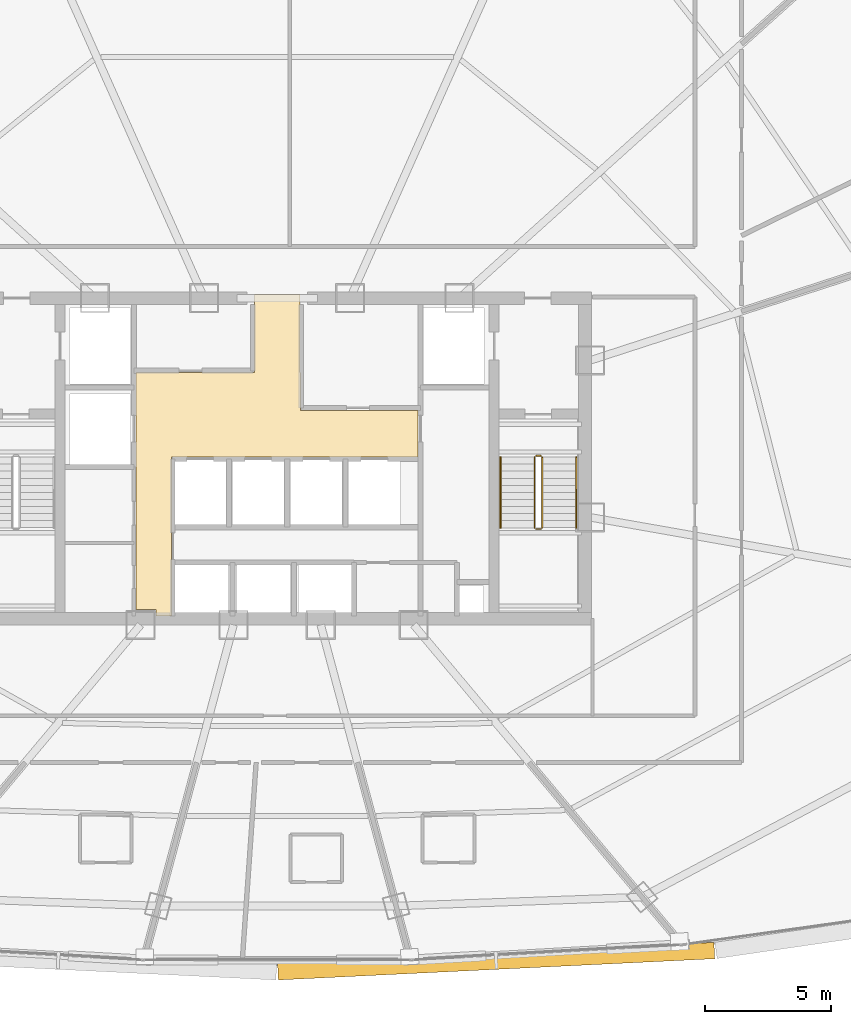
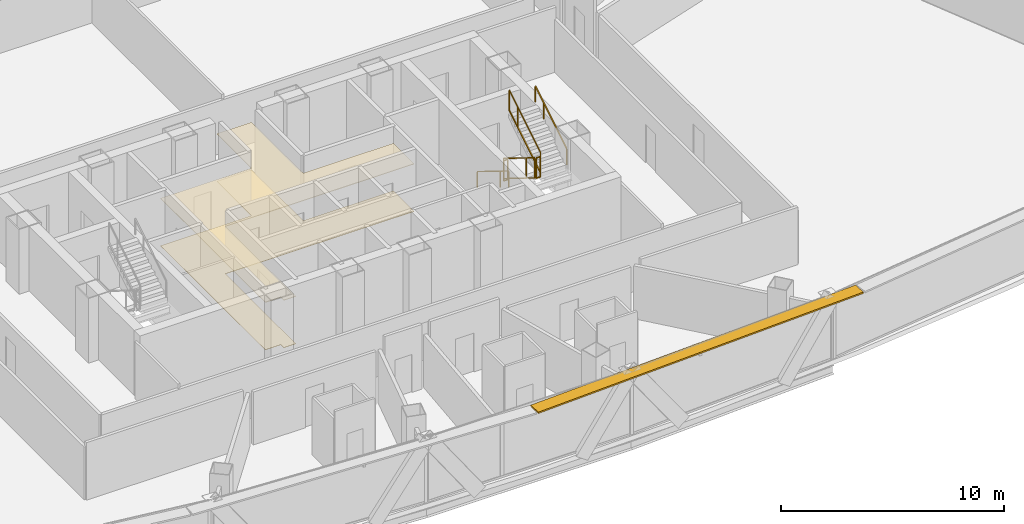
# One storey, part 38 of 40: 6 railings, 2 coverings, 1 shading device.
"""IFC4 building model written with IfcOpenShell, lengths in metres."""

from ifc_helpers import new_model, si_unit, direction, frame, origin, origin_2d, place, context, subcontext, project, spatial, polyline, rectangle, outline, extrude, source, transform, mapped, material, layer, layer_set, type_object, element, save


model = new_model("IFC4")

# Units and contexts
model_context = context("Model", 3, precision=1e-05, world=origin(), true_north=direction((0.0, 1.0)))
body_context = subcontext(model_context, "Body", "Model", "MODEL_VIEW")
ifc_project = project(units=[si_unit("LENGTHUNIT", "METRE"), si_unit("AREAUNIT", "SQUARE_METRE"), si_unit("VOLUMEUNIT", "CUBIC_METRE"), si_unit("PLANEANGLEUNIT", "RADIAN"), si_unit("MASSUNIT", "GRAM", prefix="KILO"), si_unit("THERMODYNAMICTEMPERATUREUNIT", "KELVIN"), si_unit("POWERUNIT", "WATT")], contexts=[model_context])

# Site, building, storey
site_placement = place(None, origin())
site = spatial("IfcSite", under=ifc_project, at=site_placement, CompositionType="ELEMENT")
building_placement = place(site_placement, origin())
building = spatial("IfcBuilding", under=site, at=building_placement, Name="Yunzhuo Pagoda Commons", CompositionType="ELEMENT")
storey_placement = place(building_placement, frame((0.0, 0.0, 188.56005859375)))
storey = spatial("IfcBuildingStorey", under=building, at=storey_placement, Name="L47", CompositionType="ELEMENT", Elevation=188.56005859375)

# Coverings
ifc_material_1 = material(Name="Perforated gypsum acoustic ceiling tile")
ifc_layer_1 = layer(ifc_material_1, 0.030029296875)
ifc_layer_set_1 = layer_set([ifc_layer_1], Name="Perforated gypsum acoustic ceiling tile")
covering_type_1 = type_object("IfcCoveringType", Name="COV-CL2 Ceiling 30", PredefinedType="CEILING", material=ifc_layer_set_1)
covering_1_placement = place(storey_placement, frame((0.0, 0.0, 2.58984375)))
element("IfcCovering", 1, at=covering_1_placement, inside=storey, type_object=covering_type_1, Name="L47 lift lobby acoustic ceiling", PredefinedType="CEILING", context=body_context, shape_type="SweptSolid", body=[
    extrude(outline(polyline([(42.39990234375, 37.25), (47.10009765625, 37.25), (47.10009765625, 40.35009765625), (48.89990234375, 40.35009765625), (48.89990234375, 37.25), (48.919921875, 37.25), (48.919921875, 35.75), (53.580078125, 35.75), (53.580078125, 33.89990234375), (43.820068359375, 33.89990234375), (43.820068359375, 27.60009765625), (43.207763671875, 27.60009765625), (43.207763671875, 27.85009765625), (43.201904296875, 27.864013671875), (43.187744140625, 27.8701171875), (42.39990234375, 27.8701171875), (42.39990234375, 33.89990234375), (42.39990234375, 37.25)])), origin(), (0.0, 0.0, 1.0), 0.030029296875),
])
ifc_material_2 = material(Name="Porcelain ceramic floor tile")
ifc_layer_2 = layer(ifc_material_2, 0.02001953125)
ifc_layer_set_2 = layer_set([ifc_layer_2], Name="Porcelain ceramic floor tile")
covering_type_2 = type_object("IfcCoveringType", Name="COV-FL1 Flooring 20", PredefinedType="FLOORING", material=ifc_layer_set_2)
covering_2_placement = place(storey_placement, origin())
element("IfcCovering", 2, at=covering_2_placement, inside=storey, type_object=covering_type_2, Name="L47 lift lobby flooring", PredefinedType="FLOORING", context=body_context, shape_type="SweptSolid", body=[
    extrude(outline(polyline([(42.39990234375, 37.25), (47.10009765625, 37.25), (47.10009765625, 40.35009765625), (48.89990234375, 40.35009765625), (48.89990234375, 37.25), (48.919921875, 37.25), (48.919921875, 35.75), (53.580078125, 35.75), (53.580078125, 33.89990234375), (43.820068359375, 33.89990234375), (43.820068359375, 27.60009765625), (43.207763671875, 27.60009765625), (43.207763671875, 27.85009765625), (43.201904296875, 27.864013671875), (43.187744140625, 27.8701171875), (42.39990234375, 27.8701171875), (42.39990234375, 33.89990234375), (42.39990234375, 37.25)])), origin(), (0.0, 0.0, 1.0), 0.02001953125),
])

# Railings
ifc_material_3 = material(Name="Anodized aluminium 6063-T6", Category="aluminium")
railing_type_1 = type_object("IfcRailingType", Name="GR-ST2 Stair Well Guardrail 1160", PredefinedType="GUARDRAIL", material=ifc_material_3)
railing_1_placement = place(storey_placement, frame((58.199951171875, 33.89990234375, 0.172607421875)))
element("IfcRailing", 3, at=railing_1_placement, inside=storey, type_object=railing_type_1, Name="L47 ST2 stair guard 1", PredefinedType="GUARDRAIL", context=body_context, shape_type="SweptSolid", body=[
    extrude(rectangle(XDim=0.048095703125, YDim=0.048095703125, at=origin_2d()), frame((0.0, 0.0, 1.1259765625), z_axis=(0.0, -0.851069175582, 0.525053576669), x_axis=(1.0, 0.0, 0.0)), (0.0, 0.0, 1.0), 3.289794921875),
    extrude(rectangle(XDim=0.048095703125, YDim=0.048095703125, at=origin_2d()), frame((0.0, 0.0, 0.02392578125), z_axis=(0.0, -0.851069175582, 0.525053576669), x_axis=(1.0, 0.0, 0.0)), (0.0, 0.0, 1.0), 3.289794921875),
    extrude(rectangle(XDim=0.0419921875, YDim=0.0419921875, at=origin_2d()), origin(), (0.0, 0.0, 1.0), 1.101806640625),
    extrude(rectangle(XDim=0.0419921875, YDim=0.0419921875, at=origin_2d()), frame((0.0, -2.04248046875, 1.260009765625)), (0.0, 0.0, 1.0), 1.101806640625),
    extrude(rectangle(XDim=0.0419921875, YDim=0.0419921875, at=origin_2d()), frame((0.0, -2.7998046875, 1.727294921875)), (0.0, 0.0, 1.0), 1.101806640625),
])
railing_2_placement = place(storey_placement, frame((58.25, 31.050048828125, 1.89990234375)))
element("IfcRailing", 4, at=railing_2_placement, inside=storey, type_object=railing_type_1, Name="L47 ST2 stair guard 2", PredefinedType="GUARDRAIL", context=body_context, shape_type="SweptSolid", body=[
    extrude(rectangle(XDim=0.048095703125, YDim=0.048095703125, at=origin_2d()), frame((0.0, 0.0, 1.1259765625), z_axis=(1.0, 0.0, 0.0), x_axis=(0.0, 1.0, 0.0)), (0.0, 0.0, 1.0), 0.199951171875),
    extrude(rectangle(XDim=0.048095703125, YDim=0.048095703125, at=origin_2d()), frame((0.0, 0.0, 0.02392578125), z_axis=(1.0, 0.0, 0.0), x_axis=(0.0, 1.0, 0.0)), (0.0, 0.0, 1.0), 0.199951171875),
    extrude(rectangle(XDim=0.0419921875, YDim=0.0419921875, at=origin_2d()), origin(), (0.0, 0.0, 1.0), 1.101806640625),
    extrude(rectangle(XDim=0.0419921875, YDim=0.0419921875, at=origin_2d()), frame((0.199951171875, 0.0, 0.0)), (0.0, 0.0, 1.0), 1.101806640625),
])
railing_3_placement = place(storey_placement, frame((58.5, 31.10009765625, 2.07275390625)))
element("IfcRailing", 5, at=railing_3_placement, inside=storey, type_object=railing_type_1, Name="L47 ST2 stair guard 3", PredefinedType="GUARDRAIL", context=body_context, shape_type="SweptSolid", body=[
    extrude(rectangle(XDim=0.048095703125, YDim=0.048095703125, at=origin_2d()), frame((0.0, 0.0, 1.1259765625), z_axis=(0.0, 0.851069175582, 0.525053576669), x_axis=(-1.0, 0.0, 0.0)), (0.0, 0.0, 1.0), 3.289794921875),
    extrude(rectangle(XDim=0.048095703125, YDim=0.048095703125, at=origin_2d()), frame((0.0, 0.0, 0.02392578125), z_axis=(0.0, 0.851069175582, 0.525053576669), x_axis=(-1.0, 0.0, 0.0)), (0.0, 0.0, 1.0), 3.289794921875),
    extrude(rectangle(XDim=0.0419921875, YDim=0.0419921875, at=origin_2d()), origin(), (0.0, 0.0, 1.0), 1.101806640625),
    extrude(rectangle(XDim=0.0419921875, YDim=0.0419921875, at=origin_2d()), frame((0.0, 2.04248046875, 1.260009765625)), (0.0, 0.0, 1.0), 1.101806640625),
    extrude(rectangle(XDim=0.0419921875, YDim=0.0419921875, at=origin_2d()), frame((0.0, 2.7998046875, 1.727294921875)), (0.0, 0.0, 1.0), 1.101806640625),
])
railing_4_placement = place(storey_placement, frame((58.25, 33.949951171875, 0.0)))
element("IfcRailing", 6, at=railing_4_placement, inside=storey, type_object=railing_type_1, Name="L47 ST2 stair guard 4", PredefinedType="GUARDRAIL", context=body_context, shape_type="SweptSolid", body=[
    extrude(rectangle(XDim=0.048095703125, YDim=0.048095703125, at=origin_2d()), frame((0.0, 0.0, 1.1259765625), z_axis=(1.0, 0.0, 0.0), x_axis=(0.0, 1.0, 0.0)), (0.0, 0.0, 1.0), 0.199951171875),
    extrude(rectangle(XDim=0.048095703125, YDim=0.048095703125, at=origin_2d()), frame((0.0, 0.0, 0.02392578125), z_axis=(1.0, 0.0, 0.0), x_axis=(0.0, 1.0, 0.0)), (0.0, 0.0, 1.0), 0.199951171875),
    extrude(rectangle(XDim=0.0419921875, YDim=0.0419921875, at=origin_2d()), origin(), (0.0, 0.0, 1.0), 1.101806640625),
    extrude(rectangle(XDim=0.0419921875, YDim=0.0419921875, at=origin_2d()), frame((0.199951171875, 0.0, 0.0)), (0.0, 0.0, 1.0), 1.101806640625),
])
railing_type_2 = type_object("IfcRailingType", Name="HR-ST2 Stair Handrail 900", PredefinedType="HANDRAIL", material=ifc_material_3)
railing_5_placement = place(storey_placement, frame((56.85009765625, 33.89990234375, 0.172607421875)))
element("IfcRailing", 7, at=railing_5_placement, inside=storey, type_object=railing_type_2, Name="L47 ST2 stair handrail 1", PredefinedType="HANDRAIL", context=body_context, shape_type="SweptSolid", body=[
    extrude(rectangle(XDim=0.048095703125, YDim=0.048095703125, at=origin_2d()), frame((0.0, 0.0, 0.8759765625), z_axis=(0.0, -0.851069175582, 0.525053576669), x_axis=(1.0, 0.0, 0.0)), (0.0, 0.0, 1.0), 3.289794921875),
    extrude(rectangle(XDim=0.0419921875, YDim=0.0419921875, at=origin_2d()), origin(), (0.0, 0.0, 1.0), 0.851806640625),
    extrude(rectangle(XDim=0.0419921875, YDim=0.0419921875, at=origin_2d()), frame((0.0, -2.04248046875, 1.260009765625)), (0.0, 0.0, 1.0), 0.851806640625),
    extrude(rectangle(XDim=0.0419921875, YDim=0.0419921875, at=origin_2d()), frame((0.0, -2.7998046875, 1.727294921875)), (0.0, 0.0, 1.0), 0.851806640625),
])
railing_6_placement = place(storey_placement, frame((59.85009765625, 31.10009765625, 2.07275390625)))
element("IfcRailing", 8, at=railing_6_placement, inside=storey, type_object=railing_type_2, Name="L47 ST2 stair handrail 2", PredefinedType="HANDRAIL", context=body_context, shape_type="SweptSolid", body=[
    extrude(rectangle(XDim=0.048095703125, YDim=0.048095703125, at=origin_2d()), frame((0.0, 0.0, 0.8759765625), z_axis=(0.0, 0.851069175582, 0.525053576669), x_axis=(-1.0, 0.0, 0.0)), (0.0, 0.0, 1.0), 3.289794921875),
    extrude(rectangle(XDim=0.0419921875, YDim=0.0419921875, at=origin_2d()), origin(), (0.0, 0.0, 1.0), 0.851806640625),
    extrude(rectangle(XDim=0.0419921875, YDim=0.0419921875, at=origin_2d()), frame((0.0, 2.04248046875, 1.260009765625)), (0.0, 0.0, 1.0), 0.851806640625),
    extrude(rectangle(XDim=0.0419921875, YDim=0.0419921875, at=origin_2d()), frame((0.0, 2.7998046875, 1.727294921875)), (0.0, 0.0, 1.0), 0.851806640625),
])

# Shading device
ifc_layer_3 = layer(ifc_material_3, 0.080078125)
ifc_layer_set_3 = layer_set([ifc_layer_3], Name="Anodized aluminium 6063-T6")
shading_device_type = type_object("IfcShadingDeviceType", Name="SH-SUN1 Pagoda Horizontal Sunshade Eave 650", PredefinedType="USERDEFINED", material=ifc_layer_set_3)
shared_shape = source(origin(), body_context, "Body", "SweptSolid", [
    extrude(rectangle(XDim=17.3125, YDim=0.64990234375, at=origin_2d()), origin(), (0.0, 0.0, 1.0), 0.080078125),
])
shading_device_placement = place(storey_placement, frame((56.677734375, 13.926513671875, 3.4599609375), z_axis=(0.0, 0.0, 1.0), x_axis=(0.998818043775, 0.04860571396, 0.0)))
element("IfcShadingDevice", 9, at=shading_device_placement, inside=storey, type_object=shading_device_type, Name="L47 horizontal pagoda sunshade eave F1.3", ObjectType="SUNSHADE", PredefinedType="USERDEFINED", context=body_context, shape_type="MappedRepresentation", body=[
    mapped(shared_shape, transform((0.0, 0.0, 0.0), scale=1.0)),
])

save(model, "model.ifc")
